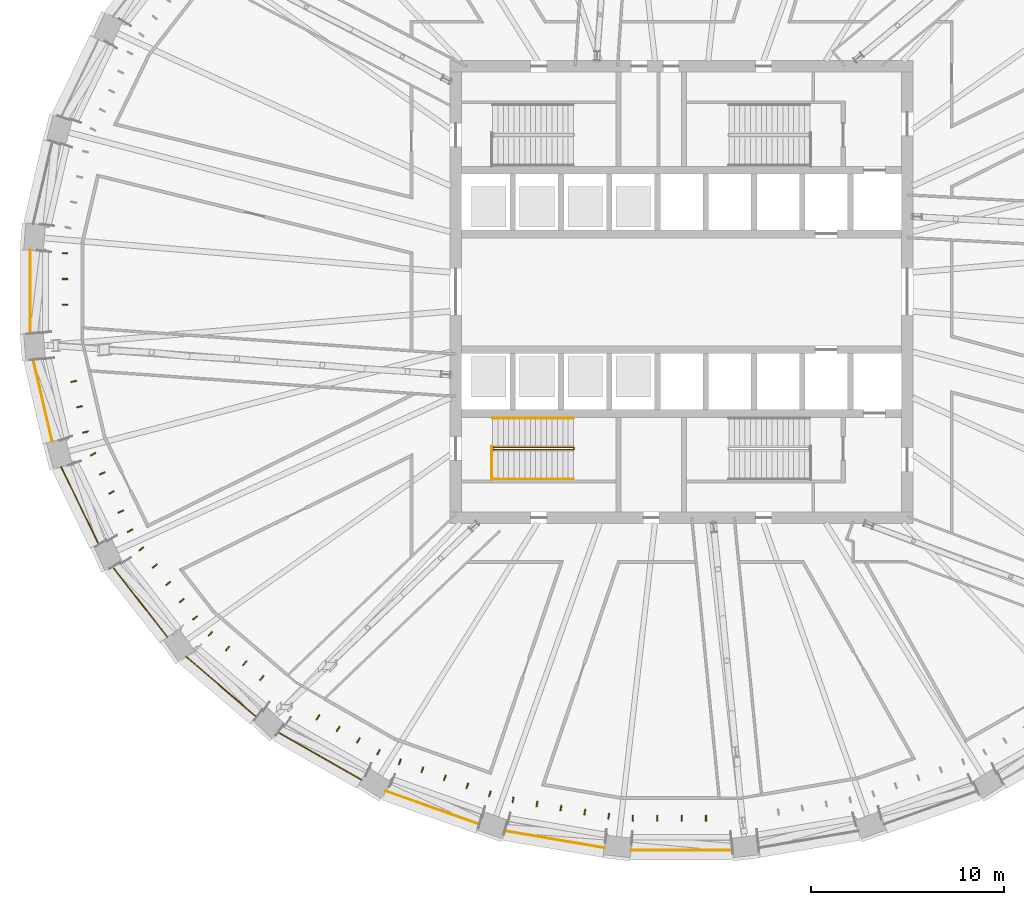
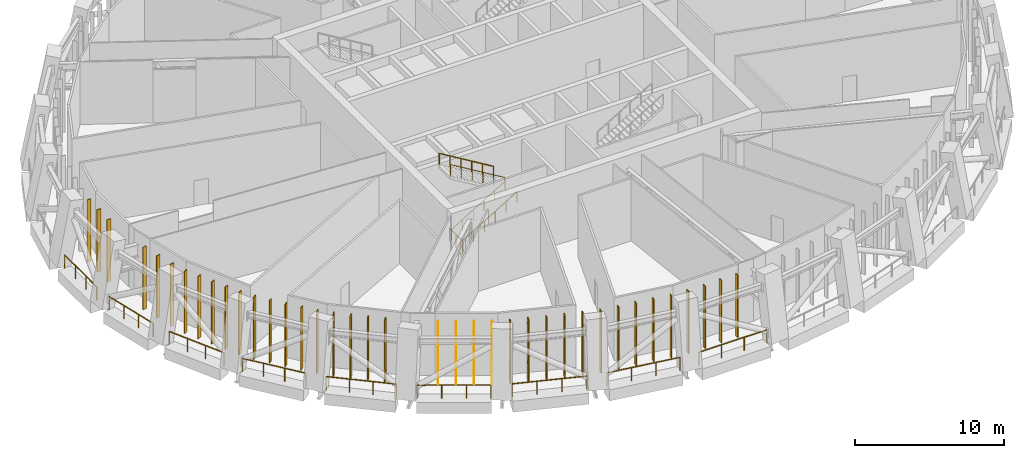
# One storey, part 16 of 21: 38 shading devices, 13 railings.
"""IFC4 building model written with IfcOpenShell, lengths in metres."""

from ifc_helpers import new_model, si_unit, direction, frame, origin, origin_2d, place, context, subcontext, project, spatial, rectangle, circle, extrude, material, material_profile, profile_set, type_object, element, save


model = new_model("IFC4")

# Units and contexts
model_context = context("Model", 3, precision=1e-05, world=origin(), true_north=direction((0.0, 1.0)))
body_context = subcontext(model_context, "Body", "Model", "MODEL_VIEW")
ifc_project = project(units=[si_unit("LENGTHUNIT", "METRE"), si_unit("AREAUNIT", "SQUARE_METRE"), si_unit("VOLUMEUNIT", "CUBIC_METRE"), si_unit("PLANEANGLEUNIT", "RADIAN"), si_unit("MASSUNIT", "GRAM", prefix="KILO")], contexts=[model_context])

# Site, building, storey
site_placement = place(None, origin())
site = spatial("IfcSite", under=ifc_project, at=site_placement, CompositionType="ELEMENT")
building_placement = place(site_placement, origin())
building = spatial("IfcBuilding", under=site, at=building_placement, Name="Halqa Exchange Tower", CompositionType="ELEMENT")
storey_placement = place(building_placement, frame((0.0, 0.0, 173.5)))
storey = spatial("IfcBuildingStorey", under=building, at=storey_placement, Name="L39", CompositionType="ELEMENT", Elevation=173.5)

# Shading devices
ifc_material_1 = material(Name="Anodised aluminium", Category="aluminium")
ifc_material_profile = material_profile(ifc_material_1, rectangle(XDim=0.300048828125, YDim=0.06005859375, at=origin_2d()), Name="AL FIN 300x60")
ifc_profile_set = profile_set([ifc_material_profile], Name="Anodised aluminium")
shading_device_type = type_object("IfcShadingDeviceType", Name="Aluminium louvre FIN 300 x 60", PredefinedType="USERDEFINED", material=ifc_profile_set)
for number, where, z_axis, x_axis, name in (
    (1, (-31.962646484375, 2.005615234375, 0.0), (0.0, 0.0, 1.0), (1.0, 0.0, 0.0), "Louvre FIN 16.1"),
    (2, (-31.962646484375, 0.668701171875, 0.0), (0.0, 0.0, 1.0), (1.0, 0.0, 0.0), "Louvre FIN 16.2"),
    (3, (-31.962646484375, -0.668701171875, 0.0), (0.0, 0.0, 1.0), (1.0, 0.0, 0.0), "Louvre FIN 16.3"),
    (4, (-31.505859375, -4.642822265625, 0.0), (0.0, 0.0, 1.0), (0.974111871643, 0.226066498012, 0.0), "Louvre FIN 17.2"),
    (5, (-31.201171875, -5.955078125, 0.0), (0.0, 0.0, 1.0), (0.974111871643, 0.226066498012, 0.0), "Louvre FIN 17.3"),
    (6, (-30.896728515625, -7.267333984375, 0.0), (0.0, 0.0, 1.0), (0.974111871643, 0.226066498012, 0.0), "Louvre FIN 17.4"),
    (7, (-30.5048828125, -8.4189453125, 0.0), (0.0, 0.0, 1.0), (0.900378013542, 0.43510852983, 0.0), "Louvre FIN 18.1"),
    (8, (-30.026123046875, -9.40966796875, 0.0), (0.0, 0.0, 1.0), (0.900378013542, 0.43510852983, 0.0), "Louvre FIN 18.2"),
    (9, (-29.547607421875, -10.400390625, 0.0), (0.0, 0.0, 1.0), (0.900378013542, 0.43510852983, 0.0), "Louvre FIN 18.3"),
    (10, (-29.068603515625, -11.39111328125, 0.0), (0.0, 0.0, 1.0), (0.900378013542, 0.43510852983, 0.0), "Louvre FIN 18.4"),
    (11, (-28.58984375, -12.3818359375, 0.0), (0.0, 0.0, 1.0), (0.900378013542, 0.43510852983, 0.0), "Louvre FIN 18.5"),
    (12, (-28.002197265625, -13.32421875, 0.0), (0.0, 0.0, 1.0), (0.788686159236, 0.614796016765, 0.0), "Louvre FIN 19.1"),
    (13, (-27.305419921875, -14.218017578125, 0.0), (0.0, 0.0, 1.0), (0.788686159236, 0.614796016765, 0.0), "Louvre FIN 19.2"),
    (14, (-26.608642578125, -15.11181640625, 0.0), (0.0, 0.0, 1.0), (0.788686159236, 0.614796016765, 0.0), "Louvre FIN 19.3"),
    (15, (-25.911865234375, -16.005615234375, 0.0), (0.0, 0.0, 1.0), (0.788686159236, 0.614796016765, 0.0), "Louvre FIN 19.4"),
    (16, (-25.215087890625, -16.8994140625, 0.0), (0.0, 0.0, 1.0), (0.788686159236, 0.614796016765, 0.0), "Louvre FIN 19.5"),
    (17, (-24.42236328125, -17.727294921875, 0.0), (0.0, 0.0, 1.0), (0.65078481863, 0.759262220739, 0.0), "Louvre FIN 20.1"),
    (18, (-23.533203125, -18.4892578125, 0.0), (0.0, 0.0, 1.0), (0.65078481863, 0.759262220739, 0.0), "Louvre FIN 20.2"),
    (19, (-22.644287109375, -19.251220703125, 0.0), (0.0, 0.0, 1.0), (0.65078481863, 0.759262220739, 0.0), "Louvre FIN 20.3"),
    (20, (-21.755126953125, -20.01318359375, 0.0), (0.0, 0.0, 1.0), (0.65078481863, 0.759262220739, 0.0), "Louvre FIN 20.4"),
    (21, (-18.850341796875, -22.056396484375, 0.0), (0.0, 0.0, 1.0), (0.496981533691, 0.86776111642, 0.0), "Louvre FIN 21.2"),
    (22, (-17.802490234375, -22.65625, 0.0), (0.0, 0.0, 1.0), (0.496981533691, 0.86776111642, 0.0), "Louvre FIN 21.3"),
    (23, (-16.7548828125, -23.256103515625, 0.0), (0.0, 0.0, 1.0), (0.496981533691, 0.86776111642, 0.0), "Louvre FIN 21.4"),
    (24, (-15.70751953125, -23.856201171875, 0.0), (0.0, 0.0, 1.0), (0.496981533691, 0.86776111642, 0.0), "Louvre FIN 21.5"),
    (25, (-14.6005859375, -24.36328125, 0.0), (0.0, 0.0, 1.0), (0.334580000129, 0.94236735062, 0.0), "Louvre FIN 22.1"),
    (26, (-13.434814453125, -24.777099609375, 0.0), (0.0, 0.0, 1.0), (0.334580000129, 0.94236735062, 0.0), "Louvre FIN 22.2"),
    (27, (-12.268798828125, -25.191162109375, 0.0), (0.0, 0.0, 1.0), (0.334580000129, 0.94236735062, 0.0), "Louvre FIN 22.3"),
    (28, (-11.102783203125, -25.60498046875, 0.0), (0.0, 0.0, 1.0), (0.334580000129, 0.94236735062, 0.0), "Louvre FIN 22.4"),
    (29, (-9.93701171875, -26.01904296875, 0.0), (0.0, 0.0, 1.0), (0.334580000129, 0.94236735062, 0.0), "Louvre FIN 22.5"),
    (30, (-8.734619140625, -26.33154296875, 0.0), (0.0, 0.0, 1.0), (0.168073033291, 0.985774545969, 0.0), "Louvre FIN 23.1"),
    (31, (-7.49560546875, -26.54296875, 0.0), (0.0, 0.0, 1.0), (0.168073033291, 0.985774545969, 0.0), "Louvre FIN 23.2"),
    (32, (-6.256591796875, -26.754150390625, 0.0), (0.0, 0.0, 1.0), (0.168073033291, 0.985774545969, 0.0), "Louvre FIN 23.3"),
    (33, (-5.017578125, -26.96533203125, 0.0), (0.0, 0.0, 1.0), (0.168073033291, 0.985774545969, 0.0), "Louvre FIN 23.4"),
    (34, (-3.778564453125, -27.176513671875, 0.0), (0.0, 0.0, 1.0), (0.168073033291, 0.985774545969, 0.0), "Louvre FIN 23.5"),
    (35, (-2.52734375, -27.2822265625, 0.0), (0.0, 0.0, 1.0), (0.0, 1.0, 0.0), "Louvre FIN 24.1"),
    (36, (-1.263671875, -27.2822265625, 0.0), (0.0, 0.0, 1.0), (0.0, 1.0, 0.0), "Louvre FIN 24.2"),
    (37, (0.0, -27.2822265625, 0.0), (0.0, 0.0, 1.0), (0.0, 1.0, 0.0), "Louvre FIN 24.3"),
    (38, (1.263671875, -27.2822265625, 0.0), (0.0, 0.0, 1.0), (0.0, 1.0, 0.0), "Louvre FIN 24.4"),
):
    element("IfcShadingDevice", number, at=place(storey_placement, frame(where, z_axis=z_axis, x_axis=x_axis)), inside=storey, type_object=shading_device_type, Name=name, ObjectType="FIN", PredefinedType="USERDEFINED", context=body_context, shape_type="SweptSolid", body=[
        extrude(rectangle(XDim=0.300048828125, YDim=0.06005859375, at=origin_2d()), origin(), (0.0, 0.0, 1.0), 5.10009765625),
    ])

# Railings
ifc_material_2 = material(Name="Stainless steel", Category="steel")
railing_type_1 = type_object("IfcRailingType", Name="Guard 1100 stainless steel", PredefinedType="GUARDRAIL", material=ifc_material_2)
railing_1_placement = place(storey_placement, frame((-33.7578125, 2.14990234375, 0.0)))
element("IfcRailing", 39, at=railing_1_placement, inside=storey, type_object=railing_type_1, Name="Band edge guard 16", PredefinedType="GUARDRAIL", context=body_context, shape_type="SweptSolid", body=[
    extrude(circle(Radius=0.02392578125, at=origin_2d()), frame((0.0, 0.0, 1.076171875), z_axis=(0.0, -1.0, 0.0), x_axis=(1.0, 0.0, 0.0)), (0.0, 0.0, 1.0), 4.2998046875),
    extrude(circle(Radius=0.02099609375, at=origin_2d()), origin(), (0.0, 0.0, 1.0), 1.052001953125),
    extrude(circle(Radius=0.02099609375, at=origin_2d()), frame((0.0, -1.433349609375, 0.0)), (0.0, 0.0, 1.0), 1.052001953125),
    extrude(circle(Radius=0.02099609375, at=origin_2d()), frame((0.0, -2.866455078125, 0.0)), (0.0, 0.0, 1.0), 1.052001953125),
    extrude(circle(Radius=0.02099609375, at=origin_2d()), frame((0.0, -4.2998046875, 0.0)), (0.0, 0.0, 1.0), 1.052001953125),
])
railing_2_placement = place(storey_placement, frame((-33.599609375, -3.53173828125, 0.0)))
element("IfcRailing", 40, at=railing_2_placement, inside=storey, type_object=railing_type_1, Name="Band edge guard 17", PredefinedType="GUARDRAIL", context=body_context, shape_type="SweptSolid", body=[
    extrude(circle(Radius=0.02392578125, at=origin_2d()), frame((0.0, 0.0, 1.076171875), z_axis=(0.226083943623, -0.974107822798, 0.0), x_axis=(0.974107822798, 0.226083943623, 0.0)), (0.0, 0.0, 1.0), 4.3388671875),
    extrude(circle(Radius=0.02099609375, at=origin_2d()), origin(), (0.0, 0.0, 1.0), 1.052001953125),
    extrude(circle(Radius=0.02099609375, at=origin_2d()), frame((0.326904296875, -1.408935546875, 0.0)), (0.0, 0.0, 1.0), 1.052001953125),
    extrude(circle(Radius=0.02099609375, at=origin_2d()), frame((0.654052734375, -2.817626953125, 0.0)), (0.0, 0.0, 1.0), 1.052001953125),
    extrude(circle(Radius=0.02099609375, at=origin_2d()), frame((0.98095703125, -4.2265625, 0.0)), (0.0, 0.0, 1.0), 1.052001953125),
])
railing_3_placement = place(storey_placement, frame((-32.156005859375, -9.0703125, 0.0)))
element("IfcRailing", 41, at=railing_3_placement, inside=storey, type_object=railing_type_1, Name="Band edge guard 18", PredefinedType="GUARDRAIL", context=body_context, shape_type="SweptSolid", body=[
    extrude(circle(Radius=0.02392578125, at=origin_2d()), frame((0.0, 0.0, 1.076171875), z_axis=(0.435143450916, -0.900361137058, 0.0), x_axis=(0.900361137058, 0.435143450916, 0.0)), (0.0, 0.0, 1.0), 4.44873046875),
    extrude(circle(Radius=0.02099609375, at=origin_2d()), origin(), (0.0, 0.0, 1.0), 1.052001953125),
    extrude(circle(Radius=0.02099609375, at=origin_2d()), frame((0.645263671875, -1.335205078125, 0.0)), (0.0, 0.0, 1.0), 1.052001953125),
    extrude(circle(Radius=0.02099609375, at=origin_2d()), frame((1.29052734375, -2.670166015625, 0.0)), (0.0, 0.0, 1.0), 1.052001953125),
    extrude(circle(Radius=0.02099609375, at=origin_2d()), frame((1.935791015625, -4.00537109375, 0.0)), (0.0, 0.0, 1.0), 1.052001953125),
])
railing_4_placement = place(storey_placement, frame((-29.4853515625, -14.258056640625, 0.0)))
element("IfcRailing", 42, at=railing_4_placement, inside=storey, type_object=railing_type_1, Name="Band edge guard 19", PredefinedType="GUARDRAIL", context=body_context, shape_type="SweptSolid", body=[
    extrude(circle(Radius=0.02392578125, at=origin_2d()), frame((0.0, 0.0, 1.076171875), z_axis=(0.614787396714, -0.788692878655, 0.0), x_axis=(0.788692878655, 0.614787396714, 0.0)), (0.0, 0.0, 1.0), 4.60888671875),
    extrude(circle(Radius=0.02099609375, at=origin_2d()), origin(), (0.0, 0.0, 1.0), 1.052001953125),
    extrude(circle(Radius=0.02099609375, at=origin_2d()), frame((0.944580078125, -1.211669921875, 0.0)), (0.0, 0.0, 1.0), 1.052001953125),
    extrude(circle(Radius=0.02099609375, at=origin_2d()), frame((1.888916015625, -2.42333984375, 0.0)), (0.0, 0.0, 1.0), 1.052001953125),
    extrude(circle(Radius=0.02099609375, at=origin_2d()), frame((2.83349609375, -3.635009765625, 0.0)), (0.0, 0.0, 1.0), 1.052001953125),
])
railing_5_placement = place(storey_placement, frame((-25.68994140625, -18.900634765625, 0.0)))
element("IfcRailing", 43, at=railing_5_placement, inside=storey, type_object=railing_type_1, Name="Band edge guard 20", PredefinedType="GUARDRAIL", context=body_context, shape_type="SweptSolid", body=[
    extrude(circle(Radius=0.02392578125, at=origin_2d()), frame((0.0, 0.0, 1.076171875), z_axis=(0.759270984469, -0.65077459396, 0.0), x_axis=(0.65077459396, 0.759270984469, 0.0)), (0.0, 0.0, 1.0), 4.79296875),
    extrude(circle(Radius=0.02099609375, at=origin_2d()), origin(), (0.0, 0.0, 1.0), 1.052001953125),
    extrude(circle(Radius=0.02099609375, at=origin_2d()), frame((1.213134765625, -1.039794921875, 0.0)), (0.0, 0.0, 1.0), 1.052001953125),
    extrude(circle(Radius=0.02099609375, at=origin_2d()), frame((2.426025390625, -2.079345703125, 0.0)), (0.0, 0.0, 1.0), 1.052001953125),
    extrude(circle(Radius=0.02099609375, at=origin_2d()), frame((3.63916015625, -3.119140625, 0.0)), (0.0, 0.0, 1.0), 1.052001953125),
])
railing_6_placement = place(storey_placement, frame((-20.911865234375, -22.8232421875, 0.0)))
element("IfcRailing", 44, at=railing_6_placement, inside=storey, type_object=railing_type_1, Name="Band edge guard 21", PredefinedType="GUARDRAIL", context=body_context, shape_type="SweptSolid", body=[
    extrude(circle(Radius=0.02392578125, at=origin_2d()), frame((0.0, 0.0, 1.076171875), z_axis=(0.867750144397, -0.497000691044, 0.0), x_axis=(0.497000691044, 0.867750144397, 0.0)), (0.0, 0.0, 1.0), 4.9716796875),
    extrude(circle(Radius=0.02099609375, at=origin_2d()), origin(), (0.0, 0.0, 1.0), 1.052001953125),
    extrude(circle(Radius=0.02099609375, at=origin_2d()), frame((1.43798828125, -0.82373046875, 0.0)), (0.0, 0.0, 1.0), 1.052001953125),
    extrude(circle(Radius=0.02099609375, at=origin_2d()), frame((2.876220703125, -1.647216796875, 0.0)), (0.0, 0.0, 1.0), 1.052001953125),
    extrude(circle(Radius=0.02099609375, at=origin_2d()), frame((4.314208984375, -2.470947265625, 0.0)), (0.0, 0.0, 1.0), 1.052001953125),
])
railing_7_placement = place(storey_placement, frame((-15.33056640625, -25.876220703125, 0.0)))
element("IfcRailing", 45, at=railing_7_placement, inside=storey, type_object=railing_type_1, Name="Band edge guard 22", PredefinedType="GUARDRAIL", context=body_context, shape_type="SweptSolid", body=[
    extrude(circle(Radius=0.02392578125, at=origin_2d()), frame((0.0, 0.0, 1.076171875), z_axis=(0.942361789269, -0.334595663639, 0.0), x_axis=(0.334595663639, 0.942361789269, 0.0)), (0.0, 0.0, 1.0), 5.119384765625),
    extrude(circle(Radius=0.02099609375, at=origin_2d()), origin(), (0.0, 0.0, 1.0), 1.052001953125),
    extrude(circle(Radius=0.02099609375, at=origin_2d()), frame((1.608154296875, -0.571044921875, 0.0)), (0.0, 0.0, 1.0), 1.052001953125),
    extrude(circle(Radius=0.02099609375, at=origin_2d()), frame((3.216064453125, -1.141845703125, 0.0)), (0.0, 0.0, 1.0), 1.052001953125),
    extrude(circle(Radius=0.02099609375, at=origin_2d()), frame((4.82421875, -1.712890625, 0.0)), (0.0, 0.0, 1.0), 1.052001953125),
])
railing_8_placement = place(storey_placement, frame((-9.15673828125, -27.94091796875, 0.0)))
element("IfcRailing", 46, at=railing_8_placement, inside=storey, type_object=railing_type_1, Name="Band edge guard 23", PredefinedType="GUARDRAIL", context=body_context, shape_type="SweptSolid", body=[
    extrude(circle(Radius=0.02392578125, at=origin_2d()), frame((0.0, 0.0, 1.076171875), z_axis=(0.98577352138, -0.168079042556, 0.0), x_axis=(0.168079042556, 0.98577352138, 0.0)), (0.0, 0.0, 1.0), 5.216064453125),
    extrude(circle(Radius=0.02099609375, at=origin_2d()), origin(), (0.0, 0.0, 1.0), 1.052001953125),
    extrude(circle(Radius=0.02099609375, at=origin_2d()), frame((1.7138671875, -0.292236328125, 0.0)), (0.0, 0.0, 1.0), 1.052001953125),
    extrude(circle(Radius=0.02099609375, at=origin_2d()), frame((3.427978515625, -0.58447265625, 0.0)), (0.0, 0.0, 1.0), 1.052001953125),
    extrude(circle(Radius=0.02099609375, at=origin_2d()), frame((5.141845703125, -0.876708984375, 0.0)), (0.0, 0.0, 1.0), 1.052001953125),
])
railing_9_placement = place(storey_placement, frame((-2.624755859375, -28.935302734375, 0.0)))
element("IfcRailing", 47, at=railing_9_placement, inside=storey, type_object=railing_type_1, Name="Band edge guard 24", PredefinedType="GUARDRAIL", context=body_context, shape_type="SweptSolid", body=[
    extrude(circle(Radius=0.02392578125, at=origin_2d()), frame((0.0, 0.0, 1.076171875), z_axis=(1.0, 0.0, 0.0), x_axis=(0.0, 1.0, 0.0)), (0.0, 0.0, 1.0), 5.24951171875),
    extrude(circle(Radius=0.02099609375, at=origin_2d()), origin(), (0.0, 0.0, 1.0), 1.052001953125),
    extrude(circle(Radius=0.02099609375, at=origin_2d()), frame((1.749755859375, 0.0, 0.0)), (0.0, 0.0, 1.0), 1.052001953125),
    extrude(circle(Radius=0.02099609375, at=origin_2d()), frame((3.499755859375, 0.0, 0.0)), (0.0, 0.0, 1.0), 1.052001953125),
    extrude(circle(Radius=0.02099609375, at=origin_2d()), frame((5.24951171875, 0.0, 0.0)), (0.0, 0.0, 1.0), 1.052001953125),
])
railing_type_2 = type_object("IfcRailingType", Name="Stair handrail 900", PredefinedType="HANDRAIL", material=ifc_material_2)
railing_10_placement = place(storey_placement, frame((-9.800048828125, -8.18994140625, 0.168701171875)))
element("IfcRailing", 48, at=railing_10_placement, inside=storey, type_object=railing_type_2, Name="Handrail ST3.1", PredefinedType="HANDRAIL", context=body_context, shape_type="SweptSolid", body=[
    extrude(circle(Radius=0.02392578125, at=origin_2d()), frame((0.0, 0.0, 0.8759765625), z_axis=(0.856476492594, 0.0, 0.516186030065), x_axis=(0.0, 1.0, 0.0)), (0.0, 0.0, 1.0), 4.90380859375),
    extrude(circle(Radius=0.02392578125, at=origin_2d()), frame((4.199951171875, 0.0, 3.4072265625), z_axis=(0.0, 0.610043206925, 0.792368150348), x_axis=(-1.0, 0.0, 0.0)), (0.0, 0.0, 1.0), 0.212890625),
    extrude(circle(Radius=0.02392578125, at=origin_2d()), frame((4.199951171875, 0.1298828125, 3.57568359375), z_axis=(-0.856476492594, 0.0, 0.516186030065), x_axis=(0.0, -1.0, 0.0)), (0.0, 0.0, 1.0), 4.90380859375),
    extrude(circle(Radius=0.02099609375, at=origin_2d()), origin(), (0.0, 0.0, 1.0), 0.851806640625),
    extrude(circle(Radius=0.02099609375, at=origin_2d()), frame((0.840087890625, 0.0, 0.50634765625)), (0.0, 0.0, 1.0), 0.851806640625),
    extrude(circle(Radius=0.02099609375, at=origin_2d()), frame((1.679931640625, 0.0, 1.012451171875)), (0.0, 0.0, 1.0), 0.851806640625),
    extrude(circle(Radius=0.02099609375, at=origin_2d()), frame((2.52001953125, 0.0, 1.518798828125)), (0.0, 0.0, 1.0), 0.851806640625),
    extrude(circle(Radius=0.02099609375, at=origin_2d()), frame((3.35986328125, 0.0, 2.02490234375)), (0.0, 0.0, 1.0), 0.851806640625),
    extrude(circle(Radius=0.02099609375, at=origin_2d()), frame((4.199951171875, 0.0, 2.53125)), (0.0, 0.0, 1.0), 0.851806640625),
    extrude(circle(Radius=0.02099609375, at=origin_2d()), frame((4.199951171875, 0.1298828125, 2.699951171875)), (0.0, 0.0, 1.0), 0.851806640625),
    extrude(circle(Radius=0.02099609375, at=origin_2d()), frame((3.35986328125, 0.1298828125, 3.206298828125)), (0.0, 0.0, 1.0), 0.851806640625),
    extrude(circle(Radius=0.02099609375, at=origin_2d()), frame((2.52001953125, 0.1298828125, 3.71240234375)), (0.0, 0.0, 1.0), 0.851806640625),
    extrude(circle(Radius=0.02099609375, at=origin_2d()), frame((1.679931640625, 0.1298828125, 4.21875)), (0.0, 0.0, 1.0), 0.851806640625),
    extrude(circle(Radius=0.02099609375, at=origin_2d()), frame((0.840087890625, 0.1298828125, 4.724853515625)), (0.0, 0.0, 1.0), 0.851806640625),
    extrude(circle(Radius=0.02099609375, at=origin_2d()), frame((0.0, 0.1298828125, 5.231201171875)), (0.0, 0.0, 1.0), 0.851806640625),
])
railing_11_placement = place(storey_placement, frame((-9.800048828125, -9.699951171875, 0.168701171875)))
element("IfcRailing", 49, at=railing_11_placement, inside=storey, type_object=railing_type_2, Name="Handrail ST3.2", PredefinedType="HANDRAIL", context=body_context, shape_type="SweptSolid", body=[
    extrude(circle(Radius=0.02392578125, at=origin_2d()), frame((0.0, 0.0, 0.8759765625), z_axis=(0.856476492594, 0.0, 0.516186030065), x_axis=(0.0, 1.0, 0.0)), (0.0, 0.0, 1.0), 4.90380859375),
    extrude(circle(Radius=0.02099609375, at=origin_2d()), origin(), (0.0, 0.0, 1.0), 0.851806640625),
    extrude(circle(Radius=0.02099609375, at=origin_2d()), frame((0.840087890625, 0.0, 0.50634765625)), (0.0, 0.0, 1.0), 0.851806640625),
    extrude(circle(Radius=0.02099609375, at=origin_2d()), frame((1.679931640625, 0.0, 1.012451171875)), (0.0, 0.0, 1.0), 0.851806640625),
    extrude(circle(Radius=0.02099609375, at=origin_2d()), frame((2.52001953125, 0.0, 1.518798828125)), (0.0, 0.0, 1.0), 0.851806640625),
    extrude(circle(Radius=0.02099609375, at=origin_2d()), frame((3.35986328125, 0.0, 2.02490234375)), (0.0, 0.0, 1.0), 0.851806640625),
    extrude(circle(Radius=0.02099609375, at=origin_2d()), frame((4.199951171875, 0.0, 2.53125)), (0.0, 0.0, 1.0), 0.851806640625),
])
railing_12_placement = place(storey_placement, frame((-5.60009765625, -6.550048828125, 2.86865234375)))
element("IfcRailing", 50, at=railing_12_placement, inside=storey, type_object=railing_type_2, Name="Handrail ST3.3", PredefinedType="HANDRAIL", context=body_context, shape_type="SweptSolid", body=[
    extrude(circle(Radius=0.02392578125, at=origin_2d()), frame((0.0, 0.0, 0.8759765625), z_axis=(-0.856476492594, 0.0, 0.516186030065), x_axis=(0.0, -1.0, 0.0)), (0.0, 0.0, 1.0), 4.90380859375),
    extrude(circle(Radius=0.02099609375, at=origin_2d()), origin(), (0.0, 0.0, 1.0), 0.851806640625),
    extrude(circle(Radius=0.02099609375, at=origin_2d()), frame((-0.840087890625, 0.0, 0.50634765625)), (0.0, 0.0, 1.0), 0.851806640625),
    extrude(circle(Radius=0.02099609375, at=origin_2d()), frame((-1.679931640625, 0.0, 1.012451171875)), (0.0, 0.0, 1.0), 0.851806640625),
    extrude(circle(Radius=0.02099609375, at=origin_2d()), frame((-2.52001953125, 0.0, 1.518798828125)), (0.0, 0.0, 1.0), 0.851806640625),
    extrude(circle(Radius=0.02099609375, at=origin_2d()), frame((-3.35986328125, 0.0, 2.02490234375)), (0.0, 0.0, 1.0), 0.851806640625),
    extrude(circle(Radius=0.02099609375, at=origin_2d()), frame((-4.199951171875, 0.0, 2.53125)), (0.0, 0.0, 1.0), 0.851806640625),
])
railing_type_3 = type_object("IfcRailingType", Name="Stair well guard 1100", PredefinedType="GUARDRAIL", material=ifc_material_2)
railing_13_placement = place(storey_placement, frame((-9.85009765625, -9.75, 0.0)))
element("IfcRailing", 51, at=railing_13_placement, inside=storey, type_object=railing_type_3, Name="Guard ST3 well", PredefinedType="GUARDRAIL", context=body_context, shape_type="SweptSolid", body=[
    extrude(circle(Radius=0.02392578125, at=origin_2d()), frame((0.0, 0.0, 1.076171875), z_axis=(0.0, 1.0, 0.0), x_axis=(-1.0, 0.0, 0.0)), (0.0, 0.0, 1.0), 1.75),
    extrude(circle(Radius=0.02099609375, at=origin_2d()), origin(), (0.0, 0.0, 1.0), 1.052001953125),
    extrude(circle(Radius=0.02099609375, at=origin_2d()), frame((0.0, 0.875, 0.0)), (0.0, 0.0, 1.0), 1.052001953125),
    extrude(circle(Radius=0.02099609375, at=origin_2d()), frame((0.0, 1.75, 0.0)), (0.0, 0.0, 1.0), 1.052001953125),
])

save(model, "model.ifc")
